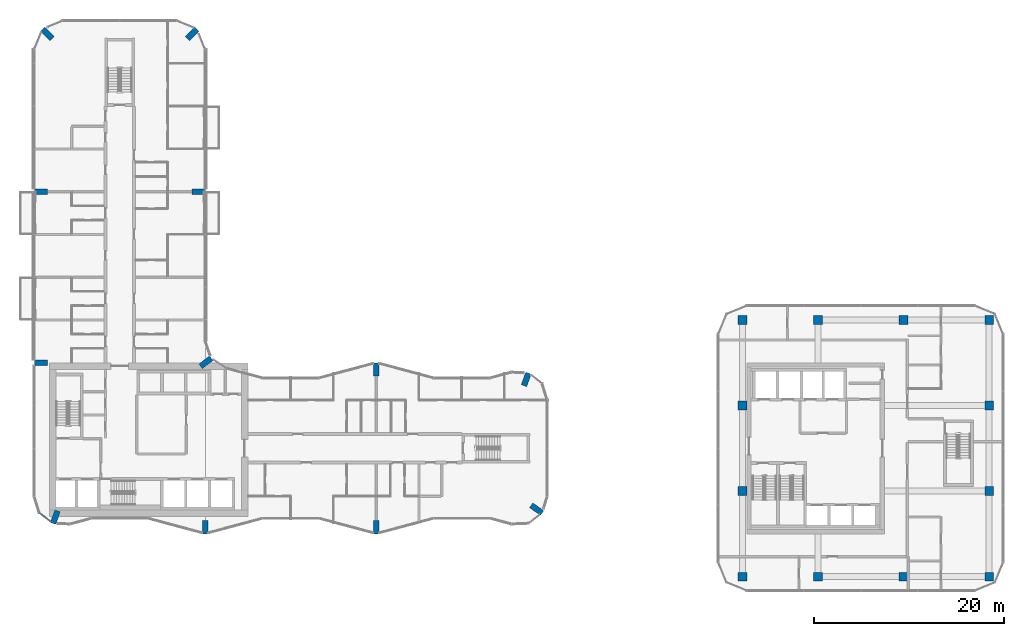
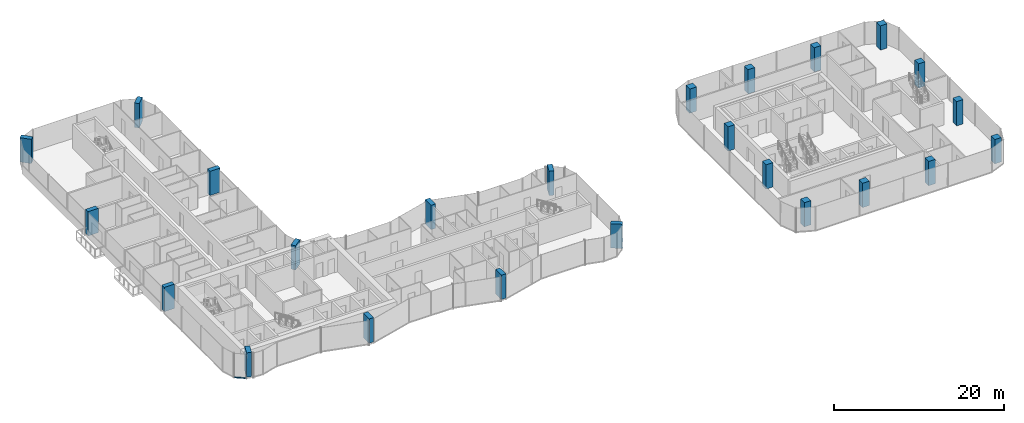
# One storey, part 1 of 23: 24 columns, 1 member, 1 element without a shape of its own.
"""IFC4 building model written with IfcOpenShell, lengths in metres."""

from ifc_helpers import new_model, si_unit, direction, frame, origin, origin_2d, place, context, subcontext, project, spatial, rectangle, extrude, material, layer, layer_set, material_profile, profile_set, type_object, element, aggregate, save


model = new_model("IFC4")

# Units and contexts
model_context = context("Model", 3, precision=1e-05, world=origin(), true_north=direction((0.0, 1.0)))
body_context = subcontext(model_context, "Body", "Model", "MODEL_VIEW")
ifc_project = project(units=[si_unit("LENGTHUNIT", "METRE"), si_unit("AREAUNIT", "SQUARE_METRE"), si_unit("VOLUMEUNIT", "CUBIC_METRE"), si_unit("PLANEANGLEUNIT", "RADIAN"), si_unit("MASSUNIT", "GRAM", prefix="KILO")], contexts=[model_context])

# Site, building, storey
site_placement = place(None, origin())
site = spatial("IfcSite", under=ifc_project, at=site_placement, CompositionType="ELEMENT")
building_placement = place(site_placement, origin())
building = spatial("IfcBuilding", under=site, at=building_placement, Name="Plateau Cross Towers", CompositionType="ELEMENT")
storey_placement = place(building_placement, frame((0.0, 0.0, 88.800048828125)))
storey = spatial("IfcBuildingStorey", under=building, at=storey_placement, Name="L22", CompositionType="ELEMENT", Elevation=88.800048828125)

# Columns
ifc_material_1 = material(Name="Concrete C60/75", Category="concrete")
ifc_material_profile_1 = material_profile(ifc_material_1, rectangle(XDim=0.60009765625, YDim=1.39990234375, at=origin_2d()), Name="RC 600x1400")
ifc_profile_set_1 = profile_set([ifc_material_profile_1], Name="Concrete C60/75")
column_type_1 = type_object("IfcColumnType", Name="Fin pier column RC 600x1400", PredefinedType="COLUMN", material=ifc_profile_set_1)
for number, where, z_axis, x_axis, name in (
    (1, (18.0, 0.699951171875, 0.0), (0.0, 0.0, 1.0), (1.0, 0.0, 0.0), "PR1 L22"),
    (2, (36.0, 0.699951171875, 0.0), (0.0, 0.0, 1.0), (1.0, 0.0, 0.0), "PR2 L22"),
    (3, (52.884033203125, 2.590087890625, 0.0), (0.0, 0.0, 1.0), (0.573542637991, 0.819175709117, 0.0), "PR3 L22"),
    (4, (51.786865234375, 16.251953125, 0.0), (0.0, 0.0, 1.0), (-0.939664280925, 0.342097996418, 0.0), "PR4 L22"),
    (5, (36.0, 17.300048828125, 0.0), (0.0, 0.0, 1.0), (1.0, 0.0, 0.0), "PR5 L22"),
    (6, (18.064697265625, 18.049560546875, 0.0), (0.0, 0.0, 1.0), (-0.608810846443, 0.793315418515, 0.0), "PR6 L22"),
    (7, (17.300048828125, 36.0, 0.0), (0.0, 0.0, 1.0), (0.0, 1.0, 0.0), "PR7 L22"),
    (8, (16.62646484375, 52.62646484375, 0.0), (0.0, 0.0, 1.0), (-0.707106781187, 0.707106781187, 0.0), "PR8 L22"),
    (9, (1.37353515625, 52.62646484375, 0.0), (0.0, 0.0, 1.0), (0.707106781187, 0.707106781187, 0.0), "PR9 L22"),
    (10, (0.699951171875, 36.0, 0.0), (0.0, 0.0, 1.0), (0.0, 1.0, 0.0), "PR10 L22"),
    (11, (0.699951171875, 18.0, 0.0), (0.0, 0.0, 1.0), (0.0, 1.0, 0.0), "PR11 L22"),
    (12, (2.213134765625, 1.748046875, 0.0), (0.0, 0.0, 1.0), (-0.939664280925, 0.342097996418, 0.0), "PR12 L22"),
):
    element("IfcColumn", number, at=place(storey_placement, frame(where, z_axis=z_axis, x_axis=x_axis)), inside=storey, type_object=column_type_1, Name=name, PredefinedType="COLUMN", context=body_context, shape_type="SweptSolid", body=[
        extrude(rectangle(XDim=0.60009765625, YDim=1.39990234375, at=origin_2d()), origin(), (0.0, 0.0, 1.0), 3.5),
    ])
ifc_material_profile_2 = material_profile(ifc_material_1, rectangle(XDim=0.89990234375, YDim=0.89990234375, at=origin_2d()), Name="RC 900x900")
ifc_profile_set_2 = profile_set([ifc_material_profile_2], Name="Concrete C60/75")
column_type_2 = type_object("IfcColumnType", Name="Office column RC 900x900", PredefinedType="COLUMN", material=ifc_profile_set_2)
for number, where, z_axis, x_axis, name in (
    (13, (74.550048828125, -4.5, 0.0), (0.0, 0.0, 1.0), (1.0, 0.0, 0.0), "B-C746_-45 L22"),
    (14, (82.5, -4.5, 0.0), (0.0, 0.0, 1.0), (1.0, 0.0, 0.0), "B-C825_-45 L22"),
    (15, (91.5, -4.5, 0.0), (0.0, 0.0, 1.0), (1.0, 0.0, 0.0), "B-C915_-45 L22"),
    (16, (100.5, -4.5, 0.0), (0.0, 0.0, 1.0), (1.0, 0.0, 0.0), "B-C1005_-45 L22"),
    (17, (100.5, 4.5, 0.0), (0.0, 0.0, 1.0), (1.0, 0.0, 0.0), "B-C1005_45 L22"),
    (18, (100.5, 13.5, 0.0), (0.0, 0.0, 1.0), (1.0, 0.0, 0.0), "B-C1005_135 L22"),
    (19, (100.5, 22.5, 0.0), (0.0, 0.0, 1.0), (1.0, 0.0, 0.0), "B-C1005_225 L22"),
    (20, (91.5, 22.5, 0.0), (0.0, 0.0, 1.0), (1.0, 0.0, 0.0), "B-C915_225 L22"),
    (21, (82.5, 22.5, 0.0), (0.0, 0.0, 1.0), (1.0, 0.0, 0.0), "B-C825_225 L22"),
    (22, (74.550048828125, 22.5, 0.0), (0.0, 0.0, 1.0), (1.0, 0.0, 0.0), "B-C746_225 L22"),
    (23, (74.550048828125, 13.5, 0.0), (0.0, 0.0, 1.0), (1.0, 0.0, 0.0), "B-C746_135 L22"),
    (24, (74.550048828125, 4.5, 0.0), (0.0, 0.0, 1.0), (1.0, 0.0, 0.0), "B-C746_45 L22"),
):
    element("IfcColumn", number, at=place(storey_placement, frame(where, z_axis=z_axis, x_axis=x_axis)), inside=storey, type_object=column_type_2, Name=name, PredefinedType="COLUMN", context=body_context, shape_type="SweptSolid", body=[
        extrude(rectangle(XDim=0.89990234375, YDim=0.89990234375, at=origin_2d()), origin(), (0.0, 0.0, 1.0), 3.5),
    ])

# Curtain wall, member
ifc_material_2 = material(Name="Dark low-iron glass", Category="glass")
ifc_layer = layer(ifc_material_2, 0.239990234375)
ifc_layer_set = layer_set([ifc_layer], Name="Dark low-iron glass")
curtain_wall_type = type_object("IfcCurtainWallType", Name="Curtain wall flush unitised CW-B", PredefinedType="NOTDEFINED", material=ifc_layer_set)
curtain_wall_placement = place(storey_placement, origin())
curtain_wall = element("IfcCurtainWall", 25, at=curtain_wall_placement, inside=storey, type_object=curtain_wall_type, Name="ENV/A/L22/A5_22", PredefinedType="NOTDEFINED")
ifc_material_3 = material(Name="Black anodised aluminium", Category="aluminium")
ifc_material_profile_3 = material_profile(ifc_material_3, rectangle(XDim=0.10009765625, YDim=0.1201171875, at=origin_2d()), Name="TRANSOM 100x120")
ifc_profile_set_3 = profile_set([ifc_material_profile_3], Name="Black anodised aluminium")
member_type = type_object("IfcMemberType", Name="Transom 100x120 flush unitised", PredefinedType="USERDEFINED", material=ifc_profile_set_3)
member_placement = place(storey_placement, frame((0.54248046875, 2.1884765625, -0.18994140625), z_axis=(0.793320508571, -0.608804213751, 0.0), x_axis=(0.608804213751, 0.793320508571, 0.0)))
member = element("IfcMember", 26, at=member_placement, type_object=member_type, Name="CW-B transom", ObjectType="TRANSOM", PredefinedType="USERDEFINED", context=body_context, shape_type="SweptSolid", body=[
    extrude(rectangle(XDim=0.10009765625, YDim=0.1201171875, at=origin_2d()), origin(), (0.0, 0.0, 1.0), 1.471435546875),
])
aggregate(curtain_wall, [member])

save(model, "model.ifc")
